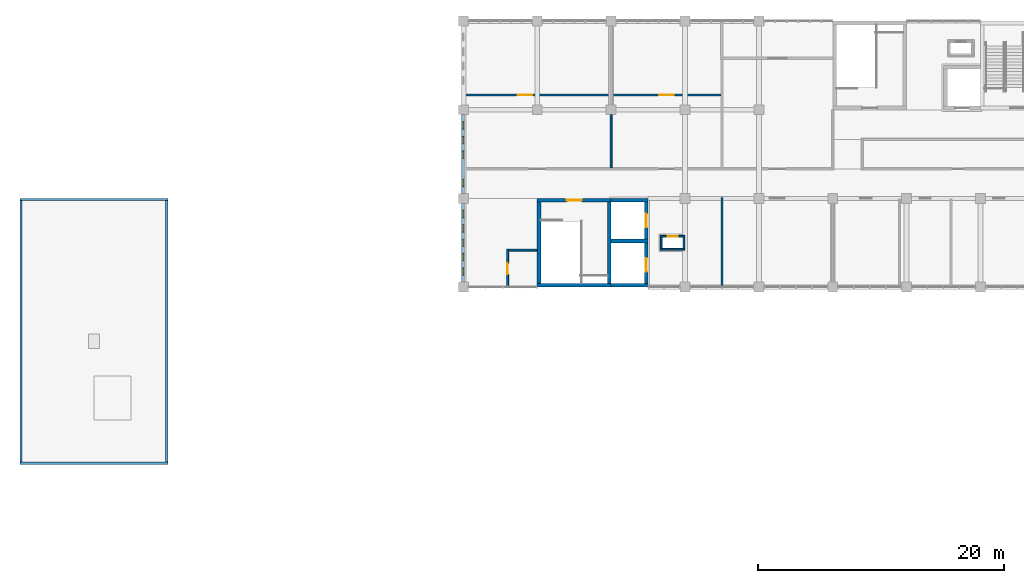
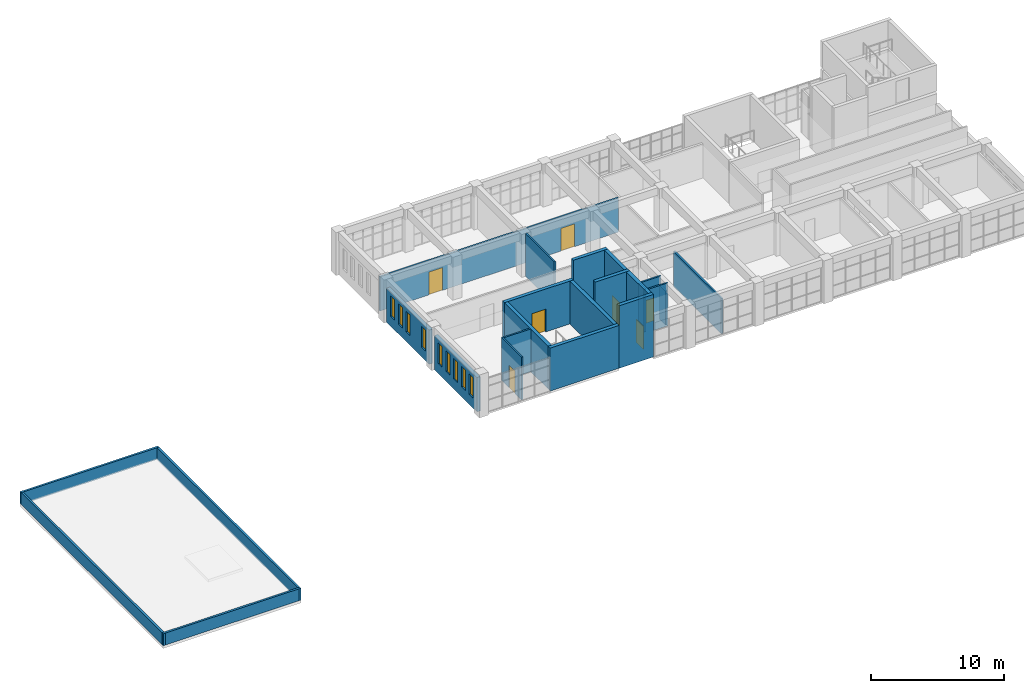
# One storey, part 36 of 51: 24 walls, 9 windows, 7 doors, 16 openings.
"""IFC4 building model written with IfcOpenShell, lengths in metres."""

from ifc_helpers import new_model, si_unit, direction, frame, frame_2d, origin, place, context, subcontext, project, spatial, rectangle, extrude, material, layer, layer_set, type_object, element, fill, save


model = new_model("IFC4")

# Units and contexts
model_context = context("Model", 3, precision=1e-05, world=origin(), true_north=direction((0.0, 1.0)))
body_context = subcontext(model_context, "Body", "Model", "MODEL_VIEW")
ifc_project = project(units=[si_unit("LENGTHUNIT", "METRE"), si_unit("AREAUNIT", "SQUARE_METRE"), si_unit("VOLUMEUNIT", "CUBIC_METRE"), si_unit("PLANEANGLEUNIT", "RADIAN"), si_unit("MASSUNIT", "GRAM", prefix="KILO")], contexts=[model_context])

# Site, building, storey
site_placement = place(None, origin())
site = spatial("IfcSite", under=ifc_project, at=site_placement, CompositionType="ELEMENT")
building_placement = place(site_placement, origin())
building = spatial("IfcBuilding", under=site, at=building_placement, Name="Laocheng Heights Fire and Rescue Headquarters", CompositionType="ELEMENT")
storey_placement = place(building_placement, frame((0.0, 0.0, 21.0)))
storey = spatial("IfcBuildingStorey", under=building, at=storey_placement, Name="L05", CompositionType="ELEMENT", Elevation=21.0)

# Wall, opening, door
ifc_material_1 = material(Name="Gypsum plaster")
ifc_layer_1 = layer(ifc_material_1, 0.010009765625, Name="PLASTER", Category="plaster")
ifc_material_2 = material(Name="Concrete blockwork MU10", Category="masonry")
ifc_layer_2 = layer(ifc_material_2, 0.1298828125, Name="BLOCKWORK", Category="masonry")
ifc_layer_3 = layer(ifc_material_1, 0.010009765625, Name="PLASTER", Category="plaster")
ifc_layer_set_1 = layer_set([ifc_layer_1, ifc_layer_2, ifc_layer_3], Name="Concrete blockwork MU10")
wall_type_1 = type_object("IfcWallType", Name="BLOCKWORK CORRIDOR WALL 150 EI 60 HQ WING", PredefinedType="PARTITIONING", material=ifc_layer_set_1)
wall_1_placement = place(storey_placement, frame((39.60009765625, 50.47509765625, 0.0), z_axis=(0.0, 0.0, 1.0), x_axis=(0.0, 1.0, 0.0)))
wall_1 = element("IfcWall", 1, at=wall_1_placement, inside=storey, type_object=wall_type_1, Name="Partition L05-001", PredefinedType="PARTITIONING", context=body_context, shape_type="SweptSolid", body=[
    extrude(rectangle(XDim=3.0, YDim=0.14990234375, at=frame_2d((1.5, 0.0))), origin(), (0.0, 0.0, 1.0), 3.949951171875),
])
opening_1_placement = place(wall_1_placement, frame((0.97509765625, 0.0, 0.0)))
opening_1 = element("IfcOpeningElement", 2, at=opening_1_placement, cuts=wall_1, Name="Opening L05-Y01", PredefinedType="OPENING", context=body_context, shape_type="SweptSolid", body=[
    extrude(rectangle(XDim=0.89990234375, YDim=2.10009765625, at=frame_2d((0.449951171875, 1.050048828125))), frame((0.0, 0.0849609375, 0.0), z_axis=(0.0, -1.0, 0.0), x_axis=(1.0, 0.0, 0.0)), (0.0, 0.0, 1.0), 0.169921875),
])
ifc_material_3 = material(Name="Timber door leaf, veneered", Category="wood")
door_type_1 = type_object("IfcDoorType", Name="TIMBER DOOR 900x2100 EI 30 HQ WING", OperationType="SINGLE_SWING_LEFT", PredefinedType="DOOR", material=ifc_material_3)
door_1_placement = place(opening_1_placement, frame((0.89990234375, 0.0, 0.0), z_axis=(0.0, 0.0, 1.0), x_axis=(-1.0, 0.0, 0.0)))
door_1 = element("IfcDoor", 3, at=door_1_placement, inside=storey, type_object=door_type_1, Name="Door L05-Y01", OperationType="SINGLE_SWING_LEFT", OverallHeight=2.10009765625, OverallWidth=0.89990234375, PredefinedType="DOOR", context=body_context, shape_type="SweptSolid", body=[
    extrude(rectangle(XDim=0.89990234375, YDim=2.10009765625, at=frame_2d((0.449951171875, 1.050048828125))), frame((0.0, 0.02490234375, 0.0), z_axis=(0.0, -1.0, 0.0), x_axis=(1.0, 0.0, 0.0)), (0.0, 0.0, 1.0), 0.050048828125),
])
fill(opening_1, door_1)

# Walls
wall_2_placement = place(storey_placement, frame((48.0, 60.074951171875, 0.0), z_axis=(0.0, 0.0, 1.0), x_axis=(0.0, 1.0, 0.0)))
element("IfcWall", 4, at=wall_2_placement, inside=storey, type_object=wall_type_1, Name="Partition L05-002", PredefinedType="PARTITIONING", context=body_context, shape_type="SweptSolid", body=[
    extrude(rectangle(XDim=4.324951171875, YDim=0.14990234375, at=frame_2d((2.16259765625, 0.0))), origin(), (0.0, 0.0, 1.0), 3.949951171875),
])
wall_3_placement = place(storey_placement, frame((57.0, 50.47509765625, 0.0), z_axis=(0.0, 0.0, 1.0), x_axis=(0.0, 1.0, 0.0)))
element("IfcWall", 5, at=wall_3_placement, inside=storey, type_object=wall_type_1, Name="Partition L05-004", PredefinedType="PARTITIONING", context=body_context, shape_type="SweptSolid", body=[
    extrude(rectangle(XDim=7.199951171875, YDim=0.14990234375, at=frame_2d((3.60009765625, 0.0))), origin(), (0.0, 0.0, 1.0), 3.25),
])
wall_4_placement = place(storey_placement, frame((39.675048828125, 53.39990234375, 0.0), z_axis=(0.0, 0.0, 1.0), x_axis=(1.0, 0.0, 0.0)))
element("IfcWall", 6, at=wall_4_placement, inside=storey, type_object=wall_type_1, Name="Partition L05-013", PredefinedType="PARTITIONING", context=body_context, shape_type="SweptSolid", body=[
    extrude(rectangle(XDim=2.324951171875, YDim=0.14990234375, at=frame_2d((1.16259765625, 0.0))), origin(), (0.0, 0.0, 1.0), 3.949951171875),
])

# Wall, openings, doors
wall_5_placement = place(storey_placement, frame((36.14990234375, 66.0, 0.0), z_axis=(0.0, 0.0, 1.0), x_axis=(1.0, 0.0, 0.0)))
wall_5 = element("IfcWall", 7, at=wall_5_placement, inside=storey, type_object=wall_type_1, Name="Partition L05-018", PredefinedType="PARTITIONING", context=body_context, shape_type="SweptSolid", body=[
    extrude(rectangle(XDim=20.775146484375, YDim=0.14990234375, at=frame_2d((10.3876953125, 0.0))), origin(), (0.0, 0.0, 1.0), 3.14990234375),
])
opening_2_placement = place(wall_5_placement, frame((4.25, 0.0, 0.0)))
opening_2 = element("IfcOpeningElement", 8, at=opening_2_placement, cuts=wall_5, Name="Opening L05-Y10", PredefinedType="OPENING", context=body_context, shape_type="SweptSolid", body=[
    extrude(rectangle(XDim=1.199951171875, YDim=2.10009765625, at=frame_2d((0.60009765625, 1.050048828125))), frame((0.0, 0.0849609375, 0.0), z_axis=(0.0, -1.0, 0.0), x_axis=(1.0, 0.0, 0.0)), (0.0, 0.0, 1.0), 0.169921875),
])
opening_3_placement = place(wall_5_placement, frame((15.75, 0.0, 0.0)))
opening_3 = element("IfcOpeningElement", 9, at=opening_3_placement, cuts=wall_5, Name="Opening L05-Y11", PredefinedType="OPENING", context=body_context, shape_type="SweptSolid", body=[
    extrude(rectangle(XDim=1.199951171875, YDim=2.10009765625, at=frame_2d((0.60009765625, 1.050048828125))), frame((0.0, 0.0849609375, 0.0), z_axis=(0.0, -1.0, 0.0), x_axis=(1.0, 0.0, 0.0)), (0.0, 0.0, 1.0), 0.169921875),
])
ifc_material_4 = material(Name="Timber door leaf, veneered", Category="wood")
door_type_2 = type_object("IfcDoorType", Name="TIMBER DOOR 1200x2100 EI 30 HQ WING", OperationType="SINGLE_SWING_LEFT", PredefinedType="DOOR", material=ifc_material_4)
door_2_placement = place(opening_2_placement, origin())
door_2 = element("IfcDoor", 10, at=door_2_placement, inside=storey, type_object=door_type_2, Name="Door L05-Y10", OperationType="SINGLE_SWING_LEFT", OverallHeight=2.10009765625, OverallWidth=1.199951171875, PredefinedType="DOOR", context=body_context, shape_type="SweptSolid", body=[
    extrude(rectangle(XDim=1.199951171875, YDim=2.10009765625, at=frame_2d((0.60009765625, 1.050048828125))), frame((0.0, 0.02490234375, 0.0), z_axis=(0.0, -1.0, 0.0), x_axis=(1.0, 0.0, 0.0)), (0.0, 0.0, 1.0), 0.050048828125),
])
fill(opening_2, door_2)
door_3_placement = place(opening_3_placement, origin())
door_3 = element("IfcDoor", 11, at=door_3_placement, inside=storey, type_object=door_type_2, Name="Door L05-Y11", OperationType="SINGLE_SWING_LEFT", OverallHeight=2.10009765625, OverallWidth=1.199951171875, PredefinedType="DOOR", context=body_context, shape_type="SweptSolid", body=[
    extrude(rectangle(XDim=1.199951171875, YDim=2.10009765625, at=frame_2d((0.60009765625, 1.050048828125))), frame((0.0, 0.02490234375, 0.0), z_axis=(0.0, -1.0, 0.0), x_axis=(1.0, 0.0, 0.0)), (0.0, 0.0, 1.0), 0.050048828125),
])
fill(opening_3, door_3)

# Walls
ifc_material_5 = material(Name="Precast concrete C40/50", Category="concrete")
ifc_layer_4 = layer(ifc_material_5, 0.179931640625)
ifc_layer_set_2 = layer_set([ifc_layer_4], Name="Precast concrete C40/50")
wall_type_2 = type_object("IfcWallType", Name="PRECAST PARAPET 200 x 1100", PredefinedType="PARAPET", material=ifc_layer_set_2)
wall_6_placement = place(storey_placement, frame((11.909912109375, 36.0, 0.0), z_axis=(0.0, 0.0, 1.0), x_axis=(0.0, 1.0, 0.0)))
element("IfcWall", 12, at=wall_6_placement, inside=storey, type_object=wall_type_2, Name="Foyer parapet", PredefinedType="PARAPET", context=body_context, shape_type="SweptSolid", body=[
    extrude(rectangle(XDim=21.60009765625, YDim=0.179931640625, at=frame_2d((10.800048828125, 0.0))), origin(), (0.0, 0.0, 1.0), 1.10009765625),
])
wall_7_placement = place(storey_placement, frame((0.0, 57.510009765625, 0.0), z_axis=(0.0, 0.0, 1.0), x_axis=(1.0, 0.0, 0.0)))
element("IfcWall", 13, at=wall_7_placement, inside=storey, type_object=wall_type_2, Name="Foyer parapet", PredefinedType="PARAPET", context=body_context, shape_type="SweptSolid", body=[
    extrude(rectangle(XDim=12.0, YDim=0.179931640625, at=frame_2d((6.0, 0.0))), origin(), (0.0, 0.0, 1.0), 1.10009765625),
])
wall_8_placement = place(storey_placement, frame((0.090087890625, 36.0, 0.0), z_axis=(0.0, 0.0, 1.0), x_axis=(0.0, 1.0, 0.0)))
element("IfcWall", 14, at=wall_8_placement, inside=storey, type_object=wall_type_2, Name="Foyer parapet", PredefinedType="PARAPET", context=body_context, shape_type="SweptSolid", body=[
    extrude(rectangle(XDim=21.60009765625, YDim=0.179931640625, at=frame_2d((10.800048828125, 0.0))), origin(), (0.0, 0.0, 1.0), 1.10009765625),
])
wall_9_placement = place(storey_placement, frame((0.0, 36.090087890625, 0.0), z_axis=(0.0, 0.0, 1.0), x_axis=(1.0, 0.0, 0.0)))
element("IfcWall", 15, at=wall_9_placement, inside=storey, type_object=wall_type_2, Name="Foyer parapet", PredefinedType="PARAPET", context=body_context, shape_type="SweptSolid", body=[
    extrude(rectangle(XDim=12.0, YDim=0.179931640625, at=frame_2d((6.0, 0.0))), origin(), (0.0, 0.0, 1.0), 1.10009765625),
])

# Wall, openings, windows
ifc_material_6 = material(Name="Precast concrete C40/50", Category="concrete")
ifc_layer_5 = layer(ifc_material_6, 0.300048828125)
ifc_layer_set_3 = layer_set([ifc_layer_5], Name="Precast concrete C40/50")
wall_type_3 = type_object("IfcWallType", Name="PRECAST WALL PANEL 300", PredefinedType="SOLIDWALL", material=ifc_layer_set_3)
wall_10_placement = place(storey_placement, frame((36.0, 50.800048828125, 0.0), z_axis=(0.0, 0.0, 1.0), x_axis=(0.0, 1.0, 0.0)))
wall_10 = element("IfcWall", 16, at=wall_10_placement, inside=storey, type_object=wall_type_3, Name="PRECAST WALL PANEL HQ WEST L05", PredefinedType="SOLIDWALL", context=body_context, shape_type="SweptSolid", body=[
    extrude(rectangle(XDim=6.39990234375, YDim=0.300048828125, at=frame_2d((3.199951171875, 0.0))), origin(), (0.0, 0.0, 1.0), 3.14990234375),
])
opening_4_placement = place(wall_10_placement, frame((0.566650390625, 0.0, 0.89990234375)))
opening_4 = element("IfcOpeningElement", 17, at=opening_4_placement, cuts=wall_10, Name="Opening N1-X", PredefinedType="OPENING", context=body_context, shape_type="SweptSolid", body=[
    extrude(rectangle(XDim=0.60009765625, YDim=1.89990234375, at=frame_2d((0.300048828125, 0.949951171875))), frame((0.0, 0.159912109375, 0.0), z_axis=(0.0, -1.0, 0.0), x_axis=(1.0, 0.0, 0.0)), (0.0, 0.0, 1.0), 0.320068359375),
])
opening_5_placement = place(wall_10_placement, frame((1.7333984375, 0.0, 0.89990234375)))
opening_5 = element("IfcOpeningElement", 18, at=opening_5_placement, cuts=wall_10, Name="Opening N1-X", PredefinedType="OPENING", context=body_context, shape_type="SweptSolid", body=[
    extrude(rectangle(XDim=0.60009765625, YDim=1.89990234375, at=frame_2d((0.300048828125, 0.949951171875))), frame((0.0, 0.159912109375, 0.0), z_axis=(0.0, -1.0, 0.0), x_axis=(1.0, 0.0, 0.0)), (0.0, 0.0, 1.0), 0.320068359375),
])
opening_6_placement = place(wall_10_placement, frame((2.89990234375, 0.0, 0.89990234375)))
opening_6 = element("IfcOpeningElement", 19, at=opening_6_placement, cuts=wall_10, Name="Opening N1-X", PredefinedType="OPENING", context=body_context, shape_type="SweptSolid", body=[
    extrude(rectangle(XDim=0.60009765625, YDim=1.89990234375, at=frame_2d((0.300048828125, 0.949951171875))), frame((0.0, 0.159912109375, 0.0), z_axis=(0.0, -1.0, 0.0), x_axis=(1.0, 0.0, 0.0)), (0.0, 0.0, 1.0), 0.320068359375),
])
opening_7_placement = place(wall_10_placement, frame((4.066650390625, 0.0, 0.89990234375)))
opening_7 = element("IfcOpeningElement", 20, at=opening_7_placement, cuts=wall_10, Name="Opening N1-X", PredefinedType="OPENING", context=body_context, shape_type="SweptSolid", body=[
    extrude(rectangle(XDim=0.60009765625, YDim=1.89990234375, at=frame_2d((0.300048828125, 0.949951171875))), frame((0.0, 0.159912109375, 0.0), z_axis=(0.0, -1.0, 0.0), x_axis=(1.0, 0.0, 0.0)), (0.0, 0.0, 1.0), 0.320068359375),
])
opening_8_placement = place(wall_10_placement, frame((5.2333984375, 0.0, 0.89990234375)))
opening_8 = element("IfcOpeningElement", 21, at=opening_8_placement, cuts=wall_10, Name="Opening N1-X", PredefinedType="OPENING", context=body_context, shape_type="SweptSolid", body=[
    extrude(rectangle(XDim=0.60009765625, YDim=1.89990234375, at=frame_2d((0.300048828125, 0.949951171875))), frame((0.0, 0.159912109375, 0.0), z_axis=(0.0, -1.0, 0.0), x_axis=(1.0, 0.0, 0.0)), (0.0, 0.0, 1.0), 0.320068359375),
])
ifc_material_7 = material(Name="Low-e double glazing in aluminium frame", Category="aluminium")
window_type = type_object("IfcWindowType", Name="WINDOW 600 x 1900 HQ END SLOT", PartitioningType="SINGLE_PANEL", PredefinedType="WINDOW", material=ifc_material_7)
window_1_placement = place(opening_4_placement, origin())
window_1 = element("IfcWindow", 22, at=window_1_placement, inside=storey, type_object=window_type, Name="HQ END SLOT HQ WEST L05", OverallHeight=1.89990234375, OverallWidth=0.60009765625, PartitioningType="SINGLE_PANEL", PredefinedType="WINDOW", context=body_context, shape_type="SweptSolid", body=[
    extrude(rectangle(XDim=0.60009765625, YDim=1.89990234375, at=frame_2d((0.300048828125, 0.949951171875))), frame((0.0, 0.030029296875, 0.0), z_axis=(0.0, -1.0, 0.0), x_axis=(1.0, 0.0, 0.0)), (0.0, 0.0, 1.0), 0.06005859375),
])
fill(opening_4, window_1)
window_2_placement = place(opening_5_placement, origin())
window_2 = element("IfcWindow", 23, at=window_2_placement, inside=storey, type_object=window_type, Name="HQ END SLOT HQ WEST L05", OverallHeight=1.89990234375, OverallWidth=0.60009765625, PartitioningType="SINGLE_PANEL", PredefinedType="WINDOW", context=body_context, shape_type="SweptSolid", body=[
    extrude(rectangle(XDim=0.60009765625, YDim=1.89990234375, at=frame_2d((0.300048828125, 0.949951171875))), frame((0.0, 0.030029296875, 0.0), z_axis=(0.0, -1.0, 0.0), x_axis=(1.0, 0.0, 0.0)), (0.0, 0.0, 1.0), 0.06005859375),
])
fill(opening_5, window_2)
window_3_placement = place(opening_6_placement, origin())
window_3 = element("IfcWindow", 24, at=window_3_placement, inside=storey, type_object=window_type, Name="HQ END SLOT HQ WEST L05", OverallHeight=1.89990234375, OverallWidth=0.60009765625, PartitioningType="SINGLE_PANEL", PredefinedType="WINDOW", context=body_context, shape_type="SweptSolid", body=[
    extrude(rectangle(XDim=0.60009765625, YDim=1.89990234375, at=frame_2d((0.300048828125, 0.949951171875))), frame((0.0, 0.030029296875, 0.0), z_axis=(0.0, -1.0, 0.0), x_axis=(1.0, 0.0, 0.0)), (0.0, 0.0, 1.0), 0.06005859375),
])
fill(opening_6, window_3)
window_4_placement = place(opening_7_placement, origin())
window_4 = element("IfcWindow", 25, at=window_4_placement, inside=storey, type_object=window_type, Name="HQ END SLOT HQ WEST L05", OverallHeight=1.89990234375, OverallWidth=0.60009765625, PartitioningType="SINGLE_PANEL", PredefinedType="WINDOW", context=body_context, shape_type="SweptSolid", body=[
    extrude(rectangle(XDim=0.60009765625, YDim=1.89990234375, at=frame_2d((0.300048828125, 0.949951171875))), frame((0.0, 0.030029296875, 0.0), z_axis=(0.0, -1.0, 0.0), x_axis=(1.0, 0.0, 0.0)), (0.0, 0.0, 1.0), 0.06005859375),
])
fill(opening_7, window_4)
window_5_placement = place(opening_8_placement, origin())
window_5 = element("IfcWindow", 26, at=window_5_placement, inside=storey, type_object=window_type, Name="HQ END SLOT HQ WEST L05", OverallHeight=1.89990234375, OverallWidth=0.60009765625, PartitioningType="SINGLE_PANEL", PredefinedType="WINDOW", context=body_context, shape_type="SweptSolid", body=[
    extrude(rectangle(XDim=0.60009765625, YDim=1.89990234375, at=frame_2d((0.300048828125, 0.949951171875))), frame((0.0, 0.030029296875, 0.0), z_axis=(0.0, -1.0, 0.0), x_axis=(1.0, 0.0, 0.0)), (0.0, 0.0, 1.0), 0.06005859375),
])
fill(opening_8, window_5)

wall_11_placement = place(storey_placement, frame((36.0, 58.0, 0.0), z_axis=(0.0, 0.0, 1.0), x_axis=(0.0, 1.0, 0.0)))
wall_11 = element("IfcWall", 27, at=wall_11_placement, inside=storey, type_object=wall_type_3, Name="PRECAST WALL PANEL HQ WEST L05", PredefinedType="SOLIDWALL", context=body_context, shape_type="SweptSolid", body=[
    extrude(rectangle(XDim=6.39990234375, YDim=0.300048828125, at=frame_2d((3.199951171875, 0.0))), origin(), (0.0, 0.0, 1.0), 3.14990234375),
])
opening_9_placement = place(wall_11_placement, frame((0.56005859375, 0.0, 0.89990234375)))
opening_9 = element("IfcOpeningElement", 28, at=opening_9_placement, cuts=wall_11, Name="Opening N1-X", PredefinedType="OPENING", context=body_context, shape_type="SweptSolid", body=[
    extrude(rectangle(XDim=0.60009765625, YDim=1.89990234375, at=frame_2d((0.300048828125, 0.949951171875))), frame((0.0, 0.159912109375, 0.0), z_axis=(0.0, -1.0, 0.0), x_axis=(1.0, 0.0, 0.0)), (0.0, 0.0, 1.0), 0.320068359375),
])
opening_10_placement = place(wall_11_placement, frame((2.860107421875, 0.0, 0.89990234375)))
opening_10 = element("IfcOpeningElement", 29, at=opening_10_placement, cuts=wall_11, Name="Opening N1-X", PredefinedType="OPENING", context=body_context, shape_type="SweptSolid", body=[
    extrude(rectangle(XDim=0.60009765625, YDim=1.89990234375, at=frame_2d((0.300048828125, 0.949951171875))), frame((0.0, 0.159912109375, 0.0), z_axis=(0.0, -1.0, 0.0), x_axis=(1.0, 0.0, 0.0)), (0.0, 0.0, 1.0), 0.320068359375),
])
opening_11_placement = place(wall_11_placement, frame((4.0400390625, 0.0, 0.89990234375)))
opening_11 = element("IfcOpeningElement", 30, at=opening_11_placement, cuts=wall_11, Name="Opening N1-X", PredefinedType="OPENING", context=body_context, shape_type="SweptSolid", body=[
    extrude(rectangle(XDim=0.60009765625, YDim=1.89990234375, at=frame_2d((0.300048828125, 0.949951171875))), frame((0.0, 0.159912109375, 0.0), z_axis=(0.0, -1.0, 0.0), x_axis=(1.0, 0.0, 0.0)), (0.0, 0.0, 1.0), 0.320068359375),
])
opening_12_placement = place(wall_11_placement, frame((5.219970703125, 0.0, 0.89990234375)))
opening_12 = element("IfcOpeningElement", 31, at=opening_12_placement, cuts=wall_11, Name="Opening N1-X", PredefinedType="OPENING", context=body_context, shape_type="SweptSolid", body=[
    extrude(rectangle(XDim=0.60009765625, YDim=1.89990234375, at=frame_2d((0.300048828125, 0.949951171875))), frame((0.0, 0.159912109375, 0.0), z_axis=(0.0, -1.0, 0.0), x_axis=(1.0, 0.0, 0.0)), (0.0, 0.0, 1.0), 0.320068359375),
])
window_6_placement = place(opening_9_placement, origin())
window_6 = element("IfcWindow", 32, at=window_6_placement, inside=storey, type_object=window_type, Name="HQ END SLOT HQ WEST L05", OverallHeight=1.89990234375, OverallWidth=0.60009765625, PartitioningType="SINGLE_PANEL", PredefinedType="WINDOW", context=body_context, shape_type="SweptSolid", body=[
    extrude(rectangle(XDim=0.60009765625, YDim=1.89990234375, at=frame_2d((0.300048828125, 0.949951171875))), frame((0.0, 0.030029296875, 0.0), z_axis=(0.0, -1.0, 0.0), x_axis=(1.0, 0.0, 0.0)), (0.0, 0.0, 1.0), 0.06005859375),
])
fill(opening_9, window_6)
window_7_placement = place(opening_10_placement, origin())
window_7 = element("IfcWindow", 33, at=window_7_placement, inside=storey, type_object=window_type, Name="HQ END SLOT HQ WEST L05", OverallHeight=1.89990234375, OverallWidth=0.60009765625, PartitioningType="SINGLE_PANEL", PredefinedType="WINDOW", context=body_context, shape_type="SweptSolid", body=[
    extrude(rectangle(XDim=0.60009765625, YDim=1.89990234375, at=frame_2d((0.300048828125, 0.949951171875))), frame((0.0, 0.030029296875, 0.0), z_axis=(0.0, -1.0, 0.0), x_axis=(1.0, 0.0, 0.0)), (0.0, 0.0, 1.0), 0.06005859375),
])
fill(opening_10, window_7)
window_8_placement = place(opening_11_placement, origin())
window_8 = element("IfcWindow", 34, at=window_8_placement, inside=storey, type_object=window_type, Name="HQ END SLOT HQ WEST L05", OverallHeight=1.89990234375, OverallWidth=0.60009765625, PartitioningType="SINGLE_PANEL", PredefinedType="WINDOW", context=body_context, shape_type="SweptSolid", body=[
    extrude(rectangle(XDim=0.60009765625, YDim=1.89990234375, at=frame_2d((0.300048828125, 0.949951171875))), frame((0.0, 0.030029296875, 0.0), z_axis=(0.0, -1.0, 0.0), x_axis=(1.0, 0.0, 0.0)), (0.0, 0.0, 1.0), 0.06005859375),
])
fill(opening_11, window_8)
window_9_placement = place(opening_12_placement, origin())
window_9 = element("IfcWindow", 35, at=window_9_placement, inside=storey, type_object=window_type, Name="HQ END SLOT HQ WEST L05", OverallHeight=1.89990234375, OverallWidth=0.60009765625, PartitioningType="SINGLE_PANEL", PredefinedType="WINDOW", context=body_context, shape_type="SweptSolid", body=[
    extrude(rectangle(XDim=0.60009765625, YDim=1.89990234375, at=frame_2d((0.300048828125, 0.949951171875))), frame((0.0, 0.030029296875, 0.0), z_axis=(0.0, -1.0, 0.0), x_axis=(1.0, 0.0, 0.0)), (0.0, 0.0, 1.0), 0.06005859375),
])
fill(opening_12, window_9)

# Walls
ifc_material_8 = material(Name="Concrete C50", Category="concrete")
ifc_layer_6 = layer(ifc_material_8, 0.300048828125)
ifc_layer_set_4 = layer_set([ifc_layer_6], Name="Concrete C50")
wall_type_4 = type_object("IfcWallType", Name="RC LIFT SHAFT WALL 300", PredefinedType="SHEAR", material=ifc_layer_set_4)
for number, where, z_axis, x_axis, name in (
    (36, (48.0, 54.14990234375, 0.0), (0.0, 0.0, 1.0), (1.0, 0.0, 0.0), "Lift shaft wall"),
    (37, (48.0, 57.449951171875, 0.0), (0.0, 0.0, 1.0), (1.0, 0.0, 0.0), "Lift shaft wall"),
):
    element("IfcWall", number, at=place(storey_placement, frame(where, z_axis=z_axis, x_axis=x_axis)), inside=storey, type_object=wall_type_4, Name=name, PredefinedType="SHEAR", context=body_context, shape_type="SweptSolid", body=[
        extrude(rectangle(XDim=3.0, YDim=0.300048828125, at=frame_2d((1.5, 0.0))), origin(), (0.0, 0.0, 1.0), 5.75),
    ])

# Wall, opening, door
wall_12_placement = place(storey_placement, frame((50.85009765625, 54.300048828125, 0.0), z_axis=(0.0, 0.0, 1.0), x_axis=(0.0, 1.0, 0.0)))
wall_12 = element("IfcWall", 38, at=wall_12_placement, inside=storey, type_object=wall_type_4, Name="Lift shaft wall", PredefinedType="SHEAR", context=body_context, shape_type="SweptSolid", body=[
    extrude(rectangle(XDim=3.0, YDim=0.300048828125, at=frame_2d((1.5, 0.0))), origin(), (0.0, 0.0, 1.0), 5.75),
])
opening_13_placement = place(wall_12_placement, frame((0.949951171875, 0.0, 0.0)))
opening_13 = element("IfcOpeningElement", 39, at=opening_13_placement, cuts=wall_12, Name="Opening L05-K07", PredefinedType="OPENING", context=body_context, shape_type="SweptSolid", body=[
    extrude(rectangle(XDim=1.10009765625, YDim=2.10009765625, at=frame_2d((0.550048828125, 1.050048828125))), frame((0.0, 0.159912109375, 0.0), z_axis=(0.0, -1.0, 0.0), x_axis=(1.0, 0.0, 0.0)), (0.0, 0.0, 1.0), 0.320068359375),
])
ifc_material_9 = material(Name="Stainless steel", Category="steel")
door_type_3 = type_object("IfcDoorType", Name="LANDING DOOR H-L1 SLIDING 1100x2100 E 120", OperationType="DOUBLE_DOOR_SLIDING", PredefinedType="DOOR", material=ifc_material_9)
door_4_placement = place(opening_13_placement, origin())
door_4 = element("IfcDoor", 40, at=door_4_placement, inside=storey, type_object=door_type_3, Name="Landing door H-L1", OperationType="DOUBLE_DOOR_SLIDING", OverallHeight=2.10009765625, OverallWidth=1.10009765625, PredefinedType="DOOR", context=body_context, shape_type="SweptSolid", body=[
    extrude(rectangle(XDim=1.10009765625, YDim=2.10009765625, at=frame_2d((0.550048828125, 1.050048828125))), frame((0.0, 0.02490234375, 0.0), z_axis=(0.0, -1.0, 0.0), x_axis=(1.0, 0.0, 0.0)), (0.0, 0.0, 1.0), 0.050048828125),
])
fill(opening_13, door_4)

# Wall
wall_13_placement = place(storey_placement, frame((48.0, 50.550048828125, 0.0), z_axis=(0.0, 0.0, 1.0), x_axis=(1.0, 0.0, 0.0)))
element("IfcWall", 41, at=wall_13_placement, inside=storey, type_object=wall_type_4, Name="Lift shaft wall", PredefinedType="SHEAR", context=body_context, shape_type="SweptSolid", body=[
    extrude(rectangle(XDim=3.0, YDim=0.300048828125, at=frame_2d((1.5, 0.0))), origin(), (0.0, 0.0, 1.0), 5.75),
])

# Wall, opening, door
wall_14_placement = place(storey_placement, frame((50.85009765625, 50.699951171875, 0.0), z_axis=(0.0, 0.0, 1.0), x_axis=(0.0, 1.0, 0.0)))
wall_14 = element("IfcWall", 42, at=wall_14_placement, inside=storey, type_object=wall_type_4, Name="Lift shaft wall", PredefinedType="SHEAR", context=body_context, shape_type="SweptSolid", body=[
    extrude(rectangle(XDim=3.300048828125, YDim=0.300048828125, at=frame_2d((1.64990234375, 0.0))), origin(), (0.0, 0.0, 1.0), 5.75),
])
opening_14_placement = place(wall_14_placement, frame((0.949951171875, 0.0, 0.0)))
opening_14 = element("IfcOpeningElement", 43, at=opening_14_placement, cuts=wall_14, Name="Opening L05-K08", PredefinedType="OPENING", context=body_context, shape_type="SweptSolid", body=[
    extrude(rectangle(XDim=1.10009765625, YDim=2.10009765625, at=frame_2d((0.550048828125, 1.050048828125))), frame((0.0, 0.159912109375, 0.0), z_axis=(0.0, -1.0, 0.0), x_axis=(1.0, 0.0, 0.0)), (0.0, 0.0, 1.0), 0.320068359375),
])
ifc_material_10 = material(Name="Stainless steel", Category="steel")
door_type_4 = type_object("IfcDoorType", Name="LANDING DOOR H-L3 SLIDING 1100x2100 E 120", OperationType="DOUBLE_DOOR_SLIDING", PredefinedType="DOOR", material=ifc_material_10)
door_5_placement = place(opening_14_placement, origin())
door_5 = element("IfcDoor", 44, at=door_5_placement, inside=storey, type_object=door_type_4, Name="Landing door H-L3", OperationType="DOUBLE_DOOR_SLIDING", OverallHeight=2.10009765625, OverallWidth=1.10009765625, PredefinedType="DOOR", context=body_context, shape_type="SweptSolid", body=[
    extrude(rectangle(XDim=1.10009765625, YDim=2.10009765625, at=frame_2d((0.550048828125, 1.050048828125))), frame((0.0, 0.02490234375, 0.0), z_axis=(0.0, -1.0, 0.0), x_axis=(1.0, 0.0, 0.0)), (0.0, 0.0, 1.0), 0.050048828125),
])
fill(opening_14, door_5)

# Wall
ifc_material_11 = material(Name="Concrete C50", Category="concrete")
ifc_layer_7 = layer(ifc_material_11, 0.300048828125)
ifc_layer_set_5 = layer_set([ifc_layer_7], Name="Concrete C50")
wall_type_5 = type_object("IfcWallType", Name="RC STAIR ENCLOSURE WALL 300", PredefinedType="SHEAR", material=ifc_layer_set_5)
wall_15_placement = place(storey_placement, frame((42.0, 50.550048828125, 0.0), z_axis=(0.0, 0.0, 1.0), x_axis=(1.0, 0.0, 0.0)))
element("IfcWall", 45, at=wall_15_placement, inside=storey, type_object=wall_type_5, Name="Stair enclosure wall", PredefinedType="SHEAR", context=body_context, shape_type="SweptSolid", body=[
    extrude(rectangle(XDim=6.0, YDim=0.300048828125, at=frame_2d((3.0, 0.0))), origin(), (0.0, 0.0, 1.0), 3.949951171875),
])

# Wall, opening, door
wall_16_placement = place(storey_placement, frame((42.0, 57.449951171875, 0.0), z_axis=(0.0, 0.0, 1.0), x_axis=(1.0, 0.0, 0.0)))
wall_16 = element("IfcWall", 46, at=wall_16_placement, inside=storey, type_object=wall_type_5, Name="Stair enclosure wall", PredefinedType="SHEAR", context=body_context, shape_type="SweptSolid", body=[
    extrude(rectangle(XDim=6.0, YDim=0.300048828125, at=frame_2d((3.0, 0.0))), origin(), (0.0, 0.0, 1.0), 3.949951171875),
])
opening_15_placement = place(wall_16_placement, frame((2.39990234375, 0.0, 0.0)))
opening_15 = element("IfcOpeningElement", 47, at=opening_15_placement, cuts=wall_16, Name="Opening L05-K06", PredefinedType="OPENING", context=body_context, shape_type="SweptSolid", body=[
    extrude(rectangle(XDim=1.199951171875, YDim=2.10009765625, at=frame_2d((0.60009765625, 1.050048828125))), frame((0.0, 0.159912109375, 0.0), z_axis=(0.0, -1.0, 0.0), x_axis=(1.0, 0.0, 0.0)), (0.0, 0.0, 1.0), 0.320068359375),
])
ifc_material_12 = material(Name="Painted steel", Category="steel")
door_type_5 = type_object("IfcDoorType", Name="FIRE DOOR 1200x2100 EI 60", OperationType="SINGLE_SWING_LEFT", PredefinedType="DOOR", material=ifc_material_12)
door_6_placement = place(opening_15_placement, frame((1.199951171875, 0.0, 0.0), z_axis=(0.0, 0.0, 1.0), x_axis=(-1.0, 0.0, 0.0)))
door_6 = element("IfcDoor", 48, at=door_6_placement, inside=storey, type_object=door_type_5, Name="Stair H1 door", OperationType="SINGLE_SWING_RIGHT", OverallHeight=2.10009765625, OverallWidth=1.199951171875, PredefinedType="DOOR", context=body_context, shape_type="SweptSolid", body=[
    extrude(rectangle(XDim=1.199951171875, YDim=2.10009765625, at=frame_2d((0.60009765625, 1.050048828125))), frame((0.0, 0.02490234375, 0.0), z_axis=(0.0, -1.0, 0.0), x_axis=(1.0, 0.0, 0.0)), (0.0, 0.0, 1.0), 0.050048828125),
])
fill(opening_15, door_6)

# Walls
for number, where, z_axis, x_axis, name in (
    (49, (42.14990234375, 50.699951171875, 0.0), (0.0, 0.0, 1.0), (0.0, 1.0, 0.0), "Stair enclosure wall"),
    (50, (47.85009765625, 50.699951171875, 0.0), (0.0, 0.0, 1.0), (0.0, 1.0, 0.0), "Stair enclosure wall"),
):
    element("IfcWall", number, at=place(storey_placement, frame(where, z_axis=z_axis, x_axis=x_axis)), inside=storey, type_object=wall_type_5, Name=name, PredefinedType="SHEAR", context=body_context, shape_type="SweptSolid", body=[
        extrude(rectangle(XDim=6.60009765625, YDim=0.300048828125, at=frame_2d((3.300048828125, 0.0))), origin(), (0.0, 0.0, 1.0), 3.949951171875),
    ])
ifc_material_13 = material(Name="Concrete C30", Category="concrete")
ifc_layer_8 = layer(ifc_material_13, 0.14990234375)
ifc_layer_set_6 = layer_set([ifc_layer_8], Name="Concrete C30")
wall_type_6 = type_object("IfcWallType", Name="RISER SHAFT WALL 150", PredefinedType="SOLIDWALL", material=ifc_layer_set_6)
wall_17_placement = place(storey_placement, frame((52.0, 53.47509765625, 0.0), z_axis=(0.0, 0.0, 1.0), x_axis=(1.0, 0.0, 0.0)))
element("IfcWall", 51, at=wall_17_placement, inside=storey, type_object=wall_type_6, Name="Riser shaft wall", PredefinedType="SOLIDWALL", context=body_context, shape_type="SweptSolid", body=[
    extrude(rectangle(XDim=2.0, YDim=0.14990234375, at=frame_2d((1.0, 0.0))), origin(), (0.0, 0.0, 1.0), 3.949951171875),
])

# Wall, opening, door
wall_18_placement = place(storey_placement, frame((52.0, 54.52490234375, 0.0), z_axis=(0.0, 0.0, 1.0), x_axis=(1.0, 0.0, 0.0)))
wall_18 = element("IfcWall", 52, at=wall_18_placement, inside=storey, type_object=wall_type_6, Name="Riser shaft wall", PredefinedType="SOLIDWALL", context=body_context, shape_type="SweptSolid", body=[
    extrude(rectangle(XDim=2.0, YDim=0.14990234375, at=frame_2d((1.0, 0.0))), origin(), (0.0, 0.0, 1.0), 3.949951171875),
])
opening_16_placement = place(wall_18_placement, frame((0.60009765625, 0.0, 0.0)))
opening_16 = element("IfcOpeningElement", 53, at=opening_16_placement, cuts=wall_18, Name="Opening L05-K09", PredefinedType="OPENING", context=body_context, shape_type="SweptSolid", body=[
    extrude(rectangle(XDim=0.800048828125, YDim=2.10009765625, at=frame_2d((0.39990234375, 1.050048828125))), frame((0.0, 0.0849609375, 0.0), z_axis=(0.0, -1.0, 0.0), x_axis=(1.0, 0.0, 0.0)), (0.0, 0.0, 1.0), 0.169921875),
])
ifc_material_14 = material(Name="Painted steel", Category="steel")
door_type_6 = type_object("IfcDoorType", Name="RISER ACCESS DOOR 800x2100 EI 30", OperationType="SINGLE_SWING_LEFT", PredefinedType="DOOR", material=ifc_material_14)
door_7_placement = place(opening_16_placement, origin())
door_7 = element("IfcDoor", 54, at=door_7_placement, inside=storey, type_object=door_type_6, Name="Riser RH1 access door", OperationType="SINGLE_SWING_LEFT", OverallHeight=2.10009765625, OverallWidth=0.800048828125, PredefinedType="DOOR", context=body_context, shape_type="SweptSolid", body=[
    extrude(rectangle(XDim=0.800048828125, YDim=2.10009765625, at=frame_2d((0.39990234375, 1.050048828125))), frame((0.0, 0.02490234375, 0.0), z_axis=(0.0, -1.0, 0.0), x_axis=(1.0, 0.0, 0.0)), (0.0, 0.0, 1.0), 0.050048828125),
])
fill(opening_16, door_7)

# Walls
wall_19_placement = place(storey_placement, frame((52.074951171875, 53.550048828125, 0.0), z_axis=(0.0, 0.0, 1.0), x_axis=(0.0, 1.0, 0.0)))
element("IfcWall", 55, at=wall_19_placement, inside=storey, type_object=wall_type_6, Name="Riser shaft wall", PredefinedType="SOLIDWALL", context=body_context, shape_type="SweptSolid", body=[
    extrude(rectangle(XDim=0.89990234375, YDim=0.14990234375, at=frame_2d((0.449951171875, 0.0))), origin(), (0.0, 0.0, 1.0), 3.949951171875),
])
wall_20_placement = place(storey_placement, frame((53.925048828125, 53.550048828125, 0.0), z_axis=(0.0, 0.0, 1.0), x_axis=(0.0, 1.0, 0.0)))
element("IfcWall", 56, at=wall_20_placement, inside=storey, type_object=wall_type_6, Name="Riser shaft wall", PredefinedType="SOLIDWALL", context=body_context, shape_type="SweptSolid", body=[
    extrude(rectangle(XDim=0.89990234375, YDim=0.14990234375, at=frame_2d((0.449951171875, 0.0))), origin(), (0.0, 0.0, 1.0), 3.14990234375),
])

save(model, "model.ifc")
